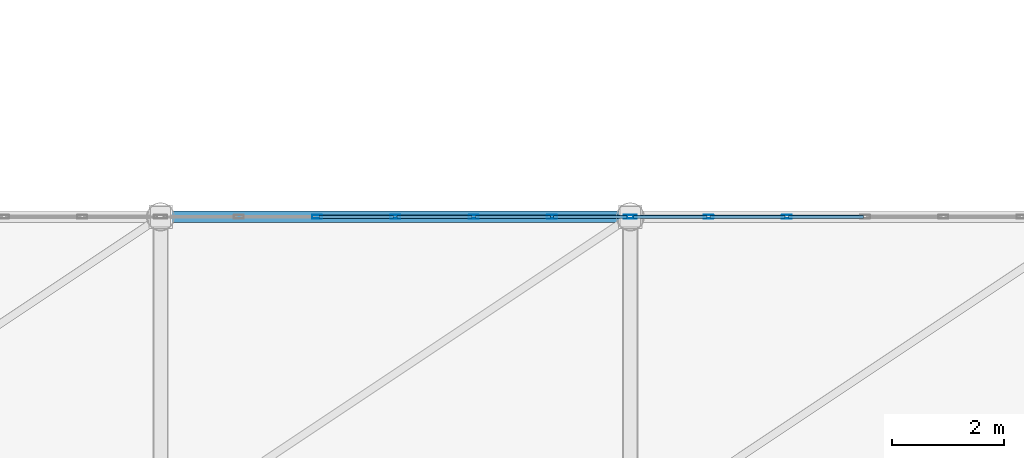
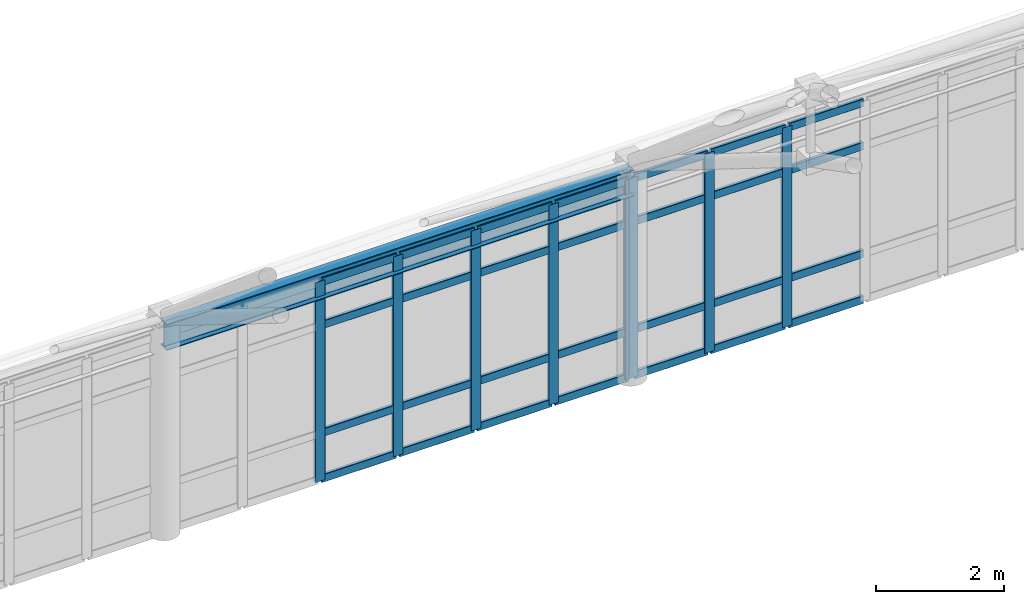
# One storey, part 95 of 184: 36 members, 1 beam, 2 elements without a shape of their own.
"""IFC4 building model written with IfcOpenShell, lengths in metres."""

from ifc_helpers import new_model, si_unit, direction, frame, origin, origin_2d, place, context, subcontext, project, spatial, hollow_rectangle, i_section, extrude, material, layer, layer_set, material_profile, profile_set, type_object, element, aggregate, save


model = new_model("IFC4")

# Units and contexts
model_context = context("Model", 3, precision=1e-05, world=origin(), true_north=direction((0.0, 1.0)))
body_context = subcontext(model_context, "Body", "Model", "MODEL_VIEW")
ifc_project = project(units=[si_unit("LENGTHUNIT", "METRE"), si_unit("AREAUNIT", "SQUARE_METRE"), si_unit("VOLUMEUNIT", "CUBIC_METRE"), si_unit("PLANEANGLEUNIT", "RADIAN"), si_unit("MASSUNIT", "GRAM", prefix="KILO")], contexts=[model_context])

# Site, building, storey
site_placement = place(None, origin())
site = spatial("IfcSite", under=ifc_project, at=site_placement, CompositionType="ELEMENT")
building_placement = place(site_placement, origin())
building = spatial("IfcBuilding", under=site, at=building_placement, Name="Qalvenar Corner Mobility Hub", CompositionType="ELEMENT")
storey_placement = place(building_placement, frame((0.0, 0.0, 9.0)))
storey = spatial("IfcBuildingStorey", under=building, at=storey_placement, Name="L02", CompositionType="ELEMENT", Elevation=9.0)

# Beam
ifc_material_1 = material(Name="Steel S355", Category="steel")
ifc_material_profile_1 = material_profile(ifc_material_1, i_section(OverallWidth=0.199951171875, OverallDepth=0.5, WebThickness=0.01025390625, FlangeThickness=0.01611328125, FilletRadius=0.02099609375, at=origin_2d()), Name="IPE500")
ifc_profile_set_1 = profile_set([ifc_material_profile_1], Name="Steel S355")
beam_type = type_object("IfcBeamType", Name="BM-IPE500", PredefinedType="BEAM", material=ifc_profile_set_1)
beam_placement = place(storey_placement, frame((75.60009765625, 33.60009765625, 3.75), z_axis=(1.0, 0.0, 0.0), x_axis=(0.0, 1.0, 0.0)))
element("IfcBeam", 1, at=beam_placement, inside=storey, type_object=beam_type, Name="Space Frame Ring Beam SFRB-4-33", PredefinedType="BEAM", context=body_context, shape_type="SweptSolid", body=[
    extrude(i_section(OverallWidth=0.199951171875, OverallDepth=0.5, WebThickness=0.01025390625, FlangeThickness=0.01611328125, FilletRadius=0.02099609375, at=origin_2d()), origin(), (0.0, 0.0, 1.0), 8.39990234375),
])

# Curtain wall, members
ifc_material_2 = material(Name="Anodised Aluminium and Low-E Glazing", Category="aluminium")
ifc_layer = layer(ifc_material_2, 0.179931640625)
ifc_layer_set = layer_set([ifc_layer], Name="Anodised Aluminium and Low-E Glazing")
curtain_wall_type = type_object("IfcCurtainWallType", Name="CW-CONC-84X42", PredefinedType="NOTDEFINED", material=ifc_layer_set)
curtain_wall_1_placement = place(storey_placement, origin())
curtain_wall_1 = element("IfcCurtainWall", 2, at=curtain_wall_1_placement, inside=storey, type_object=curtain_wall_type, Name="Glazed Curtain Wall CW-V1-L02-N3", PredefinedType="NOTDEFINED")
ifc_material_3 = material(Name="Anodised Aluminium 6063-T6", Category="aluminium")
ifc_material_profile_2 = material_profile(ifc_material_3, hollow_rectangle(XDim=0.06494140625, YDim=0.179931640625, WallThickness=0.00390625, InnerFilletRadius=0.00390625, OuterFilletRadius=0.008056640625, at=origin_2d()), Name="RHS180x65x4")
ifc_profile_set_2 = profile_set([ifc_material_profile_2], Name="Anodised Aluminium 6063-T6")
member_type_1 = type_object("IfcMemberType", Name="CW-MUL180", PredefinedType="MULLION", material=ifc_profile_set_2)
member_1_placement = place(storey_placement, frame((83.969970703125, 33.60009765625, 0.0), z_axis=(0.0, 0.0, 1.0), x_axis=(0.0, -1.0, 0.0)))
member_1 = element("IfcMember", 3, at=member_1_placement, type_object=member_type_1, Name="CW-02 mullion 1", PredefinedType="MULLION", context=body_context, shape_type="SweptSolid", body=[
    extrude(hollow_rectangle(XDim=0.06494140625, YDim=0.179931640625, WallThickness=0.00390625, InnerFilletRadius=0.00390625, OuterFilletRadius=0.008056640625, at=origin_2d()), origin(), (0.0, 0.0, 1.0), 3.800048828125),
])
member_2_placement = place(storey_placement, frame((82.60009765625, 33.60009765625, 0.0), z_axis=(0.0, 0.0, 1.0), x_axis=(0.0, -1.0, 0.0)))
member_2 = element("IfcMember", 4, at=member_2_placement, type_object=member_type_1, Name="CW-02 mullion 2", PredefinedType="MULLION", context=body_context, shape_type="SweptSolid", body=[
    extrude(hollow_rectangle(XDim=0.06494140625, YDim=0.179931640625, WallThickness=0.00390625, InnerFilletRadius=0.00390625, OuterFilletRadius=0.008056640625, at=origin_2d()), origin(), (0.0, 0.0, 1.0), 3.800048828125),
])
member_3_placement = place(storey_placement, frame((81.199951171875, 33.60009765625, 0.0), z_axis=(0.0, 0.0, 1.0), x_axis=(0.0, -1.0, 0.0)))
member_3 = element("IfcMember", 5, at=member_3_placement, type_object=member_type_1, Name="CW-02 mullion 3", PredefinedType="MULLION", context=body_context, shape_type="SweptSolid", body=[
    extrude(hollow_rectangle(XDim=0.06494140625, YDim=0.179931640625, WallThickness=0.00390625, InnerFilletRadius=0.00390625, OuterFilletRadius=0.008056640625, at=origin_2d()), origin(), (0.0, 0.0, 1.0), 3.800048828125),
])
member_4_placement = place(storey_placement, frame((79.800048828125, 33.60009765625, 0.0), z_axis=(0.0, 0.0, 1.0), x_axis=(0.0, -1.0, 0.0)))
member_4 = element("IfcMember", 6, at=member_4_placement, type_object=member_type_1, Name="CW-02 mullion 4", PredefinedType="MULLION", context=body_context, shape_type="SweptSolid", body=[
    extrude(hollow_rectangle(XDim=0.06494140625, YDim=0.179931640625, WallThickness=0.00390625, InnerFilletRadius=0.00390625, OuterFilletRadius=0.008056640625, at=origin_2d()), origin(), (0.0, 0.0, 1.0), 3.800048828125),
])
member_5_placement = place(storey_placement, frame((78.39990234375, 33.60009765625, 0.0), z_axis=(0.0, 0.0, 1.0), x_axis=(0.0, -1.0, 0.0)))
member_5 = element("IfcMember", 7, at=member_5_placement, type_object=member_type_1, Name="CW-02 mullion 5", PredefinedType="MULLION", context=body_context, shape_type="SweptSolid", body=[
    extrude(hollow_rectangle(XDim=0.06494140625, YDim=0.179931640625, WallThickness=0.00390625, InnerFilletRadius=0.00390625, OuterFilletRadius=0.008056640625, at=origin_2d()), origin(), (0.0, 0.0, 1.0), 3.800048828125),
])

curtain_wall_2_placement = place(storey_placement, origin())
curtain_wall_2 = element("IfcCurtainWall", 8, at=curtain_wall_2_placement, inside=storey, type_object=curtain_wall_type, Name="Glazed Curtain Wall CW-V1-L02-N4", PredefinedType="NOTDEFINED")
member_6_placement = place(storey_placement, frame((86.800048828125, 33.60009765625, 0.0), z_axis=(0.0, 0.0, 1.0), x_axis=(0.0, -1.0, 0.0)))
member_6 = element("IfcMember", 9, at=member_6_placement, type_object=member_type_1, Name="CW-02 mullion 5", PredefinedType="MULLION", context=body_context, shape_type="SweptSolid", body=[
    extrude(hollow_rectangle(XDim=0.06494140625, YDim=0.179931640625, WallThickness=0.00390625, InnerFilletRadius=0.00390625, OuterFilletRadius=0.008056640625, at=origin_2d()), origin(), (0.0, 0.0, 1.0), 3.800048828125),
])
member_7_placement = place(storey_placement, frame((85.39990234375, 33.60009765625, 0.0), z_axis=(0.0, 0.0, 1.0), x_axis=(0.0, -1.0, 0.0)))
member_7 = element("IfcMember", 10, at=member_7_placement, type_object=member_type_1, Name="CW-02 mullion 6", PredefinedType="MULLION", context=body_context, shape_type="SweptSolid", body=[
    extrude(hollow_rectangle(XDim=0.06494140625, YDim=0.179931640625, WallThickness=0.00390625, InnerFilletRadius=0.00390625, OuterFilletRadius=0.008056640625, at=origin_2d()), origin(), (0.0, 0.0, 1.0), 3.800048828125),
])
member_8_placement = place(storey_placement, frame((84.030029296875, 33.60009765625, 0.0), z_axis=(0.0, 0.0, 1.0), x_axis=(0.0, -1.0, 0.0)))
member_8 = element("IfcMember", 11, at=member_8_placement, type_object=member_type_1, Name="CW-02 mullion 7", PredefinedType="MULLION", context=body_context, shape_type="SweptSolid", body=[
    extrude(hollow_rectangle(XDim=0.06494140625, YDim=0.179931640625, WallThickness=0.00390625, InnerFilletRadius=0.00390625, OuterFilletRadius=0.008056640625, at=origin_2d()), origin(), (0.0, 0.0, 1.0), 3.800048828125),
])

# Member
ifc_material_profile_3 = material_profile(ifc_material_3, hollow_rectangle(XDim=0.06005859375, YDim=0.14990234375, WallThickness=0.00341796875, InnerFilletRadius=0.00341796875, OuterFilletRadius=0.007080078125, at=origin_2d()), Name="RHS150x60x3.5")
ifc_profile_set_3 = profile_set([ifc_material_profile_3], Name="Anodised Aluminium 6063-T6")
member_type_2 = type_object("IfcMemberType", Name="CW-TRN150", PredefinedType="USERDEFINED", material=ifc_profile_set_3)
member_9_placement = place(storey_placement, frame((83.93994140625, 33.60009765625, 0.027587890625), z_axis=(-1.0, 0.0, 0.0), x_axis=(0.0, -1.0, 0.0)))
member_9 = element("IfcMember", 12, at=member_9_placement, type_object=member_type_2, Name="CW-02 transom 1.1", ObjectType="TRANSOM", PredefinedType="USERDEFINED", context=body_context, shape_type="SweptSolid", body=[
    extrude(hollow_rectangle(XDim=0.06005859375, YDim=0.14990234375, WallThickness=0.00341796875, InnerFilletRadius=0.00341796875, OuterFilletRadius=0.007080078125, at=origin_2d()), origin(), (0.0, 0.0, 1.0), 1.31005859375),
])

member_10_placement = place(storey_placement, frame((83.93994140625, 33.60009765625, 0.89990234375), z_axis=(-1.0, 0.0, 0.0), x_axis=(0.0, -1.0, 0.0)))
member_10 = element("IfcMember", 13, at=member_10_placement, type_object=member_type_2, Name="CW-02 transom 1.2", ObjectType="TRANSOM", PredefinedType="USERDEFINED", context=body_context, shape_type="SweptSolid", body=[
    extrude(hollow_rectangle(XDim=0.06005859375, YDim=0.14990234375, WallThickness=0.00341796875, InnerFilletRadius=0.00341796875, OuterFilletRadius=0.007080078125, at=origin_2d()), origin(), (0.0, 0.0, 1.0), 1.31005859375),
])

member_11_placement = place(storey_placement, frame((83.93994140625, 33.60009765625, 2.949951171875), z_axis=(-1.0, 0.0, 0.0), x_axis=(0.0, -1.0, 0.0)))
member_11 = element("IfcMember", 14, at=member_11_placement, type_object=member_type_2, Name="CW-02 transom 1.3", ObjectType="TRANSOM", PredefinedType="USERDEFINED", context=body_context, shape_type="SweptSolid", body=[
    extrude(hollow_rectangle(XDim=0.06005859375, YDim=0.14990234375, WallThickness=0.00341796875, InnerFilletRadius=0.00341796875, OuterFilletRadius=0.007080078125, at=origin_2d()), origin(), (0.0, 0.0, 1.0), 1.31005859375),
])

member_12_placement = place(storey_placement, frame((83.93994140625, 33.60009765625, 3.7724609375), z_axis=(-1.0, 0.0, 0.0), x_axis=(0.0, -1.0, 0.0)))
member_12 = element("IfcMember", 15, at=member_12_placement, type_object=member_type_2, Name="CW-02 transom 1.4", ObjectType="TRANSOM", PredefinedType="USERDEFINED", context=body_context, shape_type="SweptSolid", body=[
    extrude(hollow_rectangle(XDim=0.06005859375, YDim=0.14990234375, WallThickness=0.00341796875, InnerFilletRadius=0.00341796875, OuterFilletRadius=0.007080078125, at=origin_2d()), origin(), (0.0, 0.0, 1.0), 1.31005859375),
])

member_13_placement = place(storey_placement, frame((82.570068359375, 33.60009765625, 0.027587890625), z_axis=(-1.0, 0.0, 0.0), x_axis=(0.0, -1.0, 0.0)))
member_13 = element("IfcMember", 16, at=member_13_placement, type_object=member_type_2, Name="CW-02 transom 2.1", ObjectType="TRANSOM", PredefinedType="USERDEFINED", context=body_context, shape_type="SweptSolid", body=[
    extrude(hollow_rectangle(XDim=0.06005859375, YDim=0.14990234375, WallThickness=0.00341796875, InnerFilletRadius=0.00341796875, OuterFilletRadius=0.007080078125, at=origin_2d()), origin(), (0.0, 0.0, 1.0), 1.340087890625),
])

member_14_placement = place(storey_placement, frame((82.570068359375, 33.60009765625, 0.89990234375), z_axis=(-1.0, 0.0, 0.0), x_axis=(0.0, -1.0, 0.0)))
member_14 = element("IfcMember", 17, at=member_14_placement, type_object=member_type_2, Name="CW-02 transom 2.2", ObjectType="TRANSOM", PredefinedType="USERDEFINED", context=body_context, shape_type="SweptSolid", body=[
    extrude(hollow_rectangle(XDim=0.06005859375, YDim=0.14990234375, WallThickness=0.00341796875, InnerFilletRadius=0.00341796875, OuterFilletRadius=0.007080078125, at=origin_2d()), origin(), (0.0, 0.0, 1.0), 1.340087890625),
])

member_15_placement = place(storey_placement, frame((82.570068359375, 33.60009765625, 2.949951171875), z_axis=(-1.0, 0.0, 0.0), x_axis=(0.0, -1.0, 0.0)))
member_15 = element("IfcMember", 18, at=member_15_placement, type_object=member_type_2, Name="CW-02 transom 2.3", ObjectType="TRANSOM", PredefinedType="USERDEFINED", context=body_context, shape_type="SweptSolid", body=[
    extrude(hollow_rectangle(XDim=0.06005859375, YDim=0.14990234375, WallThickness=0.00341796875, InnerFilletRadius=0.00341796875, OuterFilletRadius=0.007080078125, at=origin_2d()), origin(), (0.0, 0.0, 1.0), 1.340087890625),
])

member_16_placement = place(storey_placement, frame((82.570068359375, 33.60009765625, 3.7724609375), z_axis=(-1.0, 0.0, 0.0), x_axis=(0.0, -1.0, 0.0)))
member_16 = element("IfcMember", 19, at=member_16_placement, type_object=member_type_2, Name="CW-02 transom 2.4", ObjectType="TRANSOM", PredefinedType="USERDEFINED", context=body_context, shape_type="SweptSolid", body=[
    extrude(hollow_rectangle(XDim=0.06005859375, YDim=0.14990234375, WallThickness=0.00341796875, InnerFilletRadius=0.00341796875, OuterFilletRadius=0.007080078125, at=origin_2d()), origin(), (0.0, 0.0, 1.0), 1.340087890625),
])

member_17_placement = place(storey_placement, frame((81.169921875, 33.60009765625, 0.027587890625), z_axis=(-1.0, 0.0, 0.0), x_axis=(0.0, -1.0, 0.0)))
member_17 = element("IfcMember", 20, at=member_17_placement, type_object=member_type_2, Name="CW-02 transom 3.1", ObjectType="TRANSOM", PredefinedType="USERDEFINED", context=body_context, shape_type="SweptSolid", body=[
    extrude(hollow_rectangle(XDim=0.06005859375, YDim=0.14990234375, WallThickness=0.00341796875, InnerFilletRadius=0.00341796875, OuterFilletRadius=0.007080078125, at=origin_2d()), origin(), (0.0, 0.0, 1.0), 1.33984375),
])

member_18_placement = place(storey_placement, frame((81.169921875, 33.60009765625, 0.89990234375), z_axis=(-1.0, 0.0, 0.0), x_axis=(0.0, -1.0, 0.0)))
member_18 = element("IfcMember", 21, at=member_18_placement, type_object=member_type_2, Name="CW-02 transom 3.2", ObjectType="TRANSOM", PredefinedType="USERDEFINED", context=body_context, shape_type="SweptSolid", body=[
    extrude(hollow_rectangle(XDim=0.06005859375, YDim=0.14990234375, WallThickness=0.00341796875, InnerFilletRadius=0.00341796875, OuterFilletRadius=0.007080078125, at=origin_2d()), origin(), (0.0, 0.0, 1.0), 1.33984375),
])

member_19_placement = place(storey_placement, frame((81.169921875, 33.60009765625, 2.949951171875), z_axis=(-1.0, 0.0, 0.0), x_axis=(0.0, -1.0, 0.0)))
member_19 = element("IfcMember", 22, at=member_19_placement, type_object=member_type_2, Name="CW-02 transom 3.3", ObjectType="TRANSOM", PredefinedType="USERDEFINED", context=body_context, shape_type="SweptSolid", body=[
    extrude(hollow_rectangle(XDim=0.06005859375, YDim=0.14990234375, WallThickness=0.00341796875, InnerFilletRadius=0.00341796875, OuterFilletRadius=0.007080078125, at=origin_2d()), origin(), (0.0, 0.0, 1.0), 1.33984375),
])

member_20_placement = place(storey_placement, frame((81.169921875, 33.60009765625, 3.7724609375), z_axis=(-1.0, 0.0, 0.0), x_axis=(0.0, -1.0, 0.0)))
member_20 = element("IfcMember", 23, at=member_20_placement, type_object=member_type_2, Name="CW-02 transom 3.4", ObjectType="TRANSOM", PredefinedType="USERDEFINED", context=body_context, shape_type="SweptSolid", body=[
    extrude(hollow_rectangle(XDim=0.06005859375, YDim=0.14990234375, WallThickness=0.00341796875, InnerFilletRadius=0.00341796875, OuterFilletRadius=0.007080078125, at=origin_2d()), origin(), (0.0, 0.0, 1.0), 1.33984375),
])

member_21_placement = place(storey_placement, frame((79.77001953125, 33.60009765625, 0.027587890625), z_axis=(-1.0, 0.0, 0.0), x_axis=(0.0, -1.0, 0.0)))
member_21 = element("IfcMember", 24, at=member_21_placement, type_object=member_type_2, Name="CW-02 transom 4.1", ObjectType="TRANSOM", PredefinedType="USERDEFINED", context=body_context, shape_type="SweptSolid", body=[
    extrude(hollow_rectangle(XDim=0.06005859375, YDim=0.14990234375, WallThickness=0.00341796875, InnerFilletRadius=0.00341796875, OuterFilletRadius=0.007080078125, at=origin_2d()), origin(), (0.0, 0.0, 1.0), 1.340087890625),
])

member_22_placement = place(storey_placement, frame((79.77001953125, 33.60009765625, 0.89990234375), z_axis=(-1.0, 0.0, 0.0), x_axis=(0.0, -1.0, 0.0)))
member_22 = element("IfcMember", 25, at=member_22_placement, type_object=member_type_2, Name="CW-02 transom 4.2", ObjectType="TRANSOM", PredefinedType="USERDEFINED", context=body_context, shape_type="SweptSolid", body=[
    extrude(hollow_rectangle(XDim=0.06005859375, YDim=0.14990234375, WallThickness=0.00341796875, InnerFilletRadius=0.00341796875, OuterFilletRadius=0.007080078125, at=origin_2d()), origin(), (0.0, 0.0, 1.0), 1.340087890625),
])

member_23_placement = place(storey_placement, frame((79.77001953125, 33.60009765625, 2.949951171875), z_axis=(-1.0, 0.0, 0.0), x_axis=(0.0, -1.0, 0.0)))
member_23 = element("IfcMember", 26, at=member_23_placement, type_object=member_type_2, Name="CW-02 transom 4.3", ObjectType="TRANSOM", PredefinedType="USERDEFINED", context=body_context, shape_type="SweptSolid", body=[
    extrude(hollow_rectangle(XDim=0.06005859375, YDim=0.14990234375, WallThickness=0.00341796875, InnerFilletRadius=0.00341796875, OuterFilletRadius=0.007080078125, at=origin_2d()), origin(), (0.0, 0.0, 1.0), 1.340087890625),
])

member_24_placement = place(storey_placement, frame((79.77001953125, 33.60009765625, 3.7724609375), z_axis=(-1.0, 0.0, 0.0), x_axis=(0.0, -1.0, 0.0)))
member_24 = element("IfcMember", 27, at=member_24_placement, type_object=member_type_2, Name="CW-02 transom 4.4", ObjectType="TRANSOM", PredefinedType="USERDEFINED", context=body_context, shape_type="SweptSolid", body=[
    extrude(hollow_rectangle(XDim=0.06005859375, YDim=0.14990234375, WallThickness=0.00341796875, InnerFilletRadius=0.00341796875, OuterFilletRadius=0.007080078125, at=origin_2d()), origin(), (0.0, 0.0, 1.0), 1.340087890625),
])

aggregate(curtain_wall_1, [member_1, member_2, member_3, member_4, member_5, member_9, member_10, member_11, member_12, member_13, member_14, member_15, member_16, member_17, member_18, member_19, member_20, member_21, member_22, member_23, member_24])

member_25_placement = place(storey_placement, frame((88.169921875, 33.60009765625, 0.027587890625), z_axis=(-1.0, 0.0, 0.0), x_axis=(0.0, -1.0, 0.0)))
member_25 = element("IfcMember", 28, at=member_25_placement, type_object=member_type_2, Name="CW-02 transom 4.1", ObjectType="TRANSOM", PredefinedType="USERDEFINED", context=body_context, shape_type="SweptSolid", body=[
    extrude(hollow_rectangle(XDim=0.06005859375, YDim=0.14990234375, WallThickness=0.00341796875, InnerFilletRadius=0.00341796875, OuterFilletRadius=0.007080078125, at=origin_2d()), origin(), (0.0, 0.0, 1.0), 1.33984375),
])

member_26_placement = place(storey_placement, frame((88.169921875, 33.60009765625, 0.89990234375), z_axis=(-1.0, 0.0, 0.0), x_axis=(0.0, -1.0, 0.0)))
member_26 = element("IfcMember", 29, at=member_26_placement, type_object=member_type_2, Name="CW-02 transom 4.2", ObjectType="TRANSOM", PredefinedType="USERDEFINED", context=body_context, shape_type="SweptSolid", body=[
    extrude(hollow_rectangle(XDim=0.06005859375, YDim=0.14990234375, WallThickness=0.00341796875, InnerFilletRadius=0.00341796875, OuterFilletRadius=0.007080078125, at=origin_2d()), origin(), (0.0, 0.0, 1.0), 1.33984375),
])

member_27_placement = place(storey_placement, frame((88.169921875, 33.60009765625, 2.949951171875), z_axis=(-1.0, 0.0, 0.0), x_axis=(0.0, -1.0, 0.0)))
member_27 = element("IfcMember", 30, at=member_27_placement, type_object=member_type_2, Name="CW-02 transom 4.3", ObjectType="TRANSOM", PredefinedType="USERDEFINED", context=body_context, shape_type="SweptSolid", body=[
    extrude(hollow_rectangle(XDim=0.06005859375, YDim=0.14990234375, WallThickness=0.00341796875, InnerFilletRadius=0.00341796875, OuterFilletRadius=0.007080078125, at=origin_2d()), origin(), (0.0, 0.0, 1.0), 1.33984375),
])

member_28_placement = place(storey_placement, frame((88.169921875, 33.60009765625, 3.7724609375), z_axis=(-1.0, 0.0, 0.0), x_axis=(0.0, -1.0, 0.0)))
member_28 = element("IfcMember", 31, at=member_28_placement, type_object=member_type_2, Name="CW-02 transom 4.4", ObjectType="TRANSOM", PredefinedType="USERDEFINED", context=body_context, shape_type="SweptSolid", body=[
    extrude(hollow_rectangle(XDim=0.06005859375, YDim=0.14990234375, WallThickness=0.00341796875, InnerFilletRadius=0.00341796875, OuterFilletRadius=0.007080078125, at=origin_2d()), origin(), (0.0, 0.0, 1.0), 1.33984375),
])

member_29_placement = place(storey_placement, frame((86.77001953125, 33.60009765625, 0.027587890625), z_axis=(-1.0, 0.0, 0.0), x_axis=(0.0, -1.0, 0.0)))
member_29 = element("IfcMember", 32, at=member_29_placement, type_object=member_type_2, Name="CW-02 transom 5.1", ObjectType="TRANSOM", PredefinedType="USERDEFINED", context=body_context, shape_type="SweptSolid", body=[
    extrude(hollow_rectangle(XDim=0.06005859375, YDim=0.14990234375, WallThickness=0.00341796875, InnerFilletRadius=0.00341796875, OuterFilletRadius=0.007080078125, at=origin_2d()), origin(), (0.0, 0.0, 1.0), 1.340087890625),
])

member_30_placement = place(storey_placement, frame((86.77001953125, 33.60009765625, 0.89990234375), z_axis=(-1.0, 0.0, 0.0), x_axis=(0.0, -1.0, 0.0)))
member_30 = element("IfcMember", 33, at=member_30_placement, type_object=member_type_2, Name="CW-02 transom 5.2", ObjectType="TRANSOM", PredefinedType="USERDEFINED", context=body_context, shape_type="SweptSolid", body=[
    extrude(hollow_rectangle(XDim=0.06005859375, YDim=0.14990234375, WallThickness=0.00341796875, InnerFilletRadius=0.00341796875, OuterFilletRadius=0.007080078125, at=origin_2d()), origin(), (0.0, 0.0, 1.0), 1.340087890625),
])

member_31_placement = place(storey_placement, frame((86.77001953125, 33.60009765625, 2.949951171875), z_axis=(-1.0, 0.0, 0.0), x_axis=(0.0, -1.0, 0.0)))
member_31 = element("IfcMember", 34, at=member_31_placement, type_object=member_type_2, Name="CW-02 transom 5.3", ObjectType="TRANSOM", PredefinedType="USERDEFINED", context=body_context, shape_type="SweptSolid", body=[
    extrude(hollow_rectangle(XDim=0.06005859375, YDim=0.14990234375, WallThickness=0.00341796875, InnerFilletRadius=0.00341796875, OuterFilletRadius=0.007080078125, at=origin_2d()), origin(), (0.0, 0.0, 1.0), 1.340087890625),
])

member_32_placement = place(storey_placement, frame((86.77001953125, 33.60009765625, 3.7724609375), z_axis=(-1.0, 0.0, 0.0), x_axis=(0.0, -1.0, 0.0)))
member_32 = element("IfcMember", 35, at=member_32_placement, type_object=member_type_2, Name="CW-02 transom 5.4", ObjectType="TRANSOM", PredefinedType="USERDEFINED", context=body_context, shape_type="SweptSolid", body=[
    extrude(hollow_rectangle(XDim=0.06005859375, YDim=0.14990234375, WallThickness=0.00341796875, InnerFilletRadius=0.00341796875, OuterFilletRadius=0.007080078125, at=origin_2d()), origin(), (0.0, 0.0, 1.0), 1.340087890625),
])

member_33_placement = place(storey_placement, frame((85.3701171875, 33.60009765625, 0.027587890625), z_axis=(-1.0, 0.0, 0.0), x_axis=(0.0, -1.0, 0.0)))
member_33 = element("IfcMember", 36, at=member_33_placement, type_object=member_type_2, Name="CW-02 transom 6.1", ObjectType="TRANSOM", PredefinedType="USERDEFINED", context=body_context, shape_type="SweptSolid", body=[
    extrude(hollow_rectangle(XDim=0.06005859375, YDim=0.14990234375, WallThickness=0.00341796875, InnerFilletRadius=0.00341796875, OuterFilletRadius=0.007080078125, at=origin_2d()), origin(), (0.0, 0.0, 1.0), 1.31005859375),
])

member_34_placement = place(storey_placement, frame((85.3701171875, 33.60009765625, 0.89990234375), z_axis=(-1.0, 0.0, 0.0), x_axis=(0.0, -1.0, 0.0)))
member_34 = element("IfcMember", 37, at=member_34_placement, type_object=member_type_2, Name="CW-02 transom 6.2", ObjectType="TRANSOM", PredefinedType="USERDEFINED", context=body_context, shape_type="SweptSolid", body=[
    extrude(hollow_rectangle(XDim=0.06005859375, YDim=0.14990234375, WallThickness=0.00341796875, InnerFilletRadius=0.00341796875, OuterFilletRadius=0.007080078125, at=origin_2d()), origin(), (0.0, 0.0, 1.0), 1.31005859375),
])

member_35_placement = place(storey_placement, frame((85.3701171875, 33.60009765625, 2.949951171875), z_axis=(-1.0, 0.0, 0.0), x_axis=(0.0, -1.0, 0.0)))
member_35 = element("IfcMember", 38, at=member_35_placement, type_object=member_type_2, Name="CW-02 transom 6.3", ObjectType="TRANSOM", PredefinedType="USERDEFINED", context=body_context, shape_type="SweptSolid", body=[
    extrude(hollow_rectangle(XDim=0.06005859375, YDim=0.14990234375, WallThickness=0.00341796875, InnerFilletRadius=0.00341796875, OuterFilletRadius=0.007080078125, at=origin_2d()), origin(), (0.0, 0.0, 1.0), 1.31005859375),
])

member_36_placement = place(storey_placement, frame((85.3701171875, 33.60009765625, 3.7724609375), z_axis=(-1.0, 0.0, 0.0), x_axis=(0.0, -1.0, 0.0)))
member_36 = element("IfcMember", 39, at=member_36_placement, type_object=member_type_2, Name="CW-02 transom 6.4", ObjectType="TRANSOM", PredefinedType="USERDEFINED", context=body_context, shape_type="SweptSolid", body=[
    extrude(hollow_rectangle(XDim=0.06005859375, YDim=0.14990234375, WallThickness=0.00341796875, InnerFilletRadius=0.00341796875, OuterFilletRadius=0.007080078125, at=origin_2d()), origin(), (0.0, 0.0, 1.0), 1.31005859375),
])

aggregate(curtain_wall_2, [member_6, member_7, member_8, member_25, member_26, member_27, member_28, member_29, member_30, member_31, member_32, member_33, member_34, member_35, member_36])

save(model, "model.ifc")
